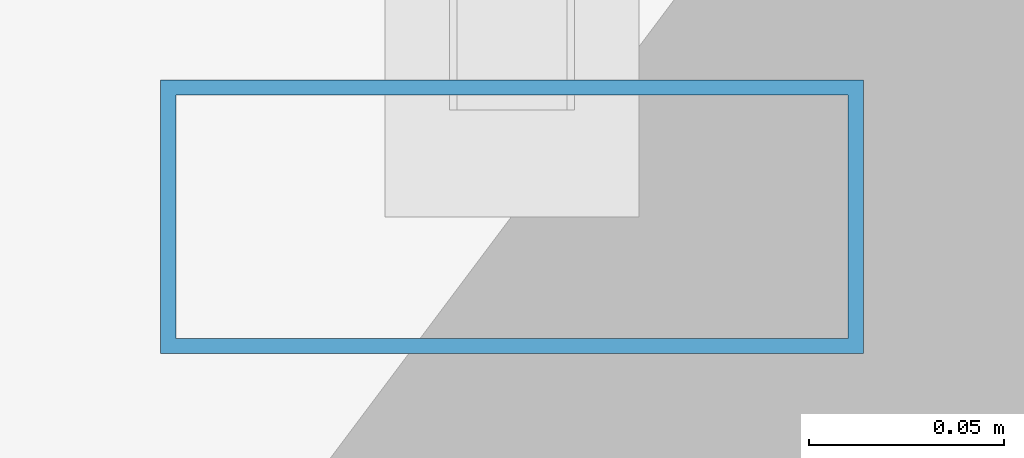
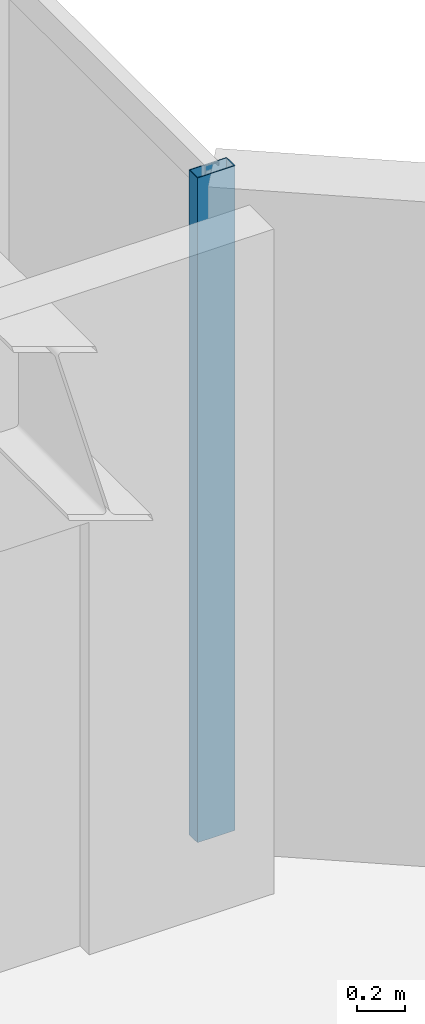
# One storey, part 10 of 24: 1 member, 1 element without a shape of its own.
"""IFC4 building model written with IfcOpenShell, lengths in metres."""

from ifc_helpers import new_model, si_unit, direction, frame, origin, origin_2d, place, context, subcontext, project, spatial, hollow_rectangle, extrude, material, layer, layer_set, material_profile, profile_set, type_object, element, aggregate, save


model = new_model("IFC4")

# Units and contexts
model_context = context("Model", 3, precision=1e-05, world=origin(), true_north=direction((0.0, 1.0)))
body_context = subcontext(model_context, "Body", "Model", "MODEL_VIEW")
ifc_project = project(units=[si_unit("LENGTHUNIT", "METRE"), si_unit("AREAUNIT", "SQUARE_METRE"), si_unit("VOLUMEUNIT", "CUBIC_METRE"), si_unit("PLANEANGLEUNIT", "RADIAN"), si_unit("MASSUNIT", "GRAM", prefix="KILO")], contexts=[model_context])

# Site, building, storey
site_placement = place(None, origin())
site = spatial("IfcSite", under=ifc_project, at=site_placement, CompositionType="ELEMENT")
building_placement = place(site_placement, origin())
building = spatial("IfcBuilding", under=site, at=building_placement, Name="Hatsunagi Terrace Concourse", CompositionType="ELEMENT")
storey_placement = place(building_placement, frame((0.0, 0.0, 191.550048828125)))
storey = spatial("IfcBuildingStorey", under=building, at=storey_placement, Name="L50", CompositionType="ELEMENT", Elevation=191.550048828125)

# Curtain wall, member
ifc_material_1 = material(Name="Anodised Aluminium Alloy 6063-T5", Category="aluminium")
ifc_layer = layer(ifc_material_1, 0.199951171875)
ifc_layer_set = layer_set([ifc_layer], Name="OfficeZone2_CW04")
curtain_wall_type = type_object("IfcCurtainWallType", Name="OfficeZone2_CW04", PredefinedType="NOTDEFINED", material=ifc_layer_set)
curtain_wall_placement = place(storey_placement, origin())
curtain_wall = element("IfcCurtainWall", 1, at=curtain_wall_placement, inside=storey, type_object=curtain_wall_type, Name="Unitised Curtain Wall CW-04 CW-L50-12", PredefinedType="NOTDEFINED")
ifc_material_2 = material(Name="Anodised Aluminium Alloy 6063-T5", Category="aluminium")
ifc_material_profile = material_profile(ifc_material_2, hollow_rectangle(XDim=0.070068359375, YDim=0.179931640625, WallThickness=0.00390625, at=origin_2d()), Name="ALU-MUL-180x70x4")
ifc_profile_set = profile_set([ifc_material_profile], Name="Anodised Aluminium Alloy 6063-T5")
member_type = type_object("IfcMemberType", Name="CurtainWallMullion_180x70", PredefinedType="MULLION", material=ifc_profile_set)
member_placement = place(storey_placement, frame((44.860107421875, 40.72998046875, 0.0), z_axis=(0.0, 0.0, 1.0), x_axis=(0.0, -1.0, 0.0)))
member = element("IfcMember", 2, at=member_placement, type_object=member_type, Name="Curtain Wall Mullion MUL-02", PredefinedType="MULLION", context=body_context, shape_type="SweptSolid", body=[
    extrude(hollow_rectangle(XDim=0.070068359375, YDim=0.179931640625, WallThickness=0.00390625, at=origin_2d()), origin(), (0.0, 0.0, 1.0), 3.349853515625),
])
aggregate(curtain_wall, [member])

save(model, "model.ifc")
